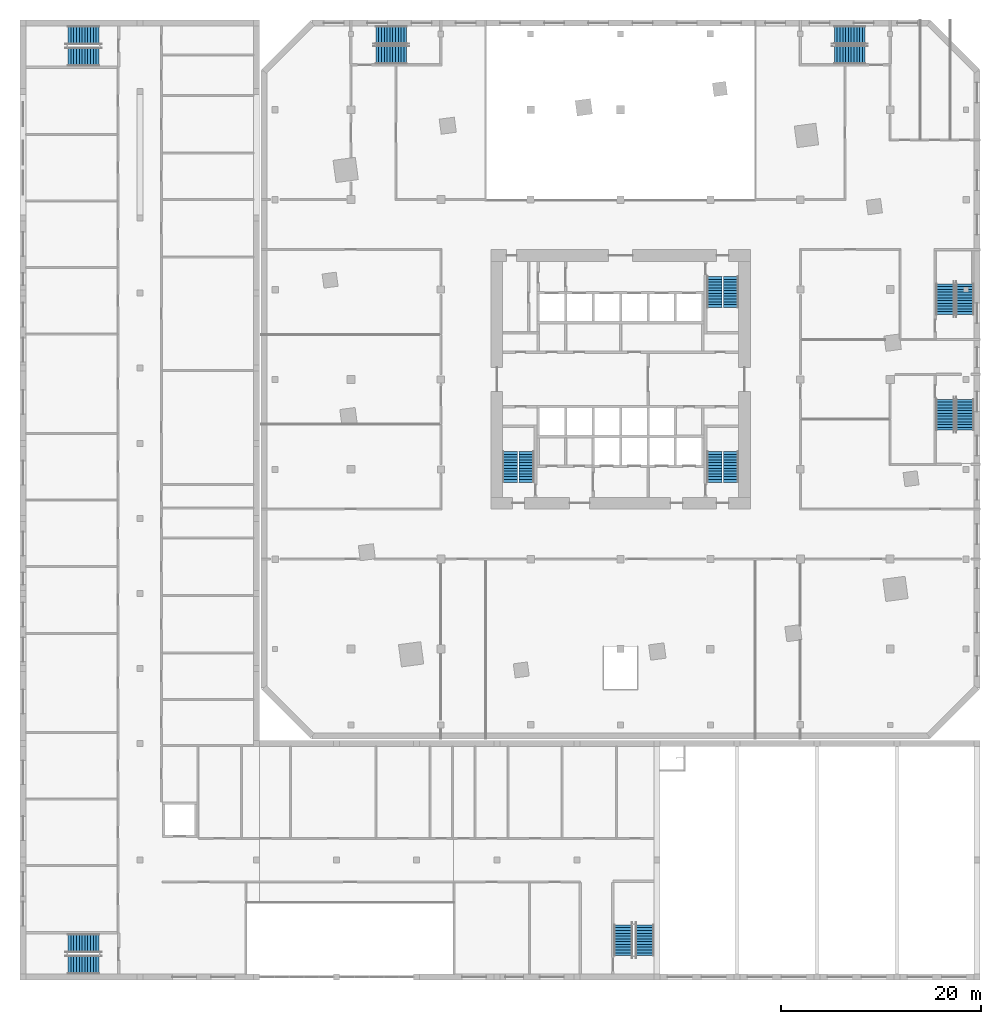
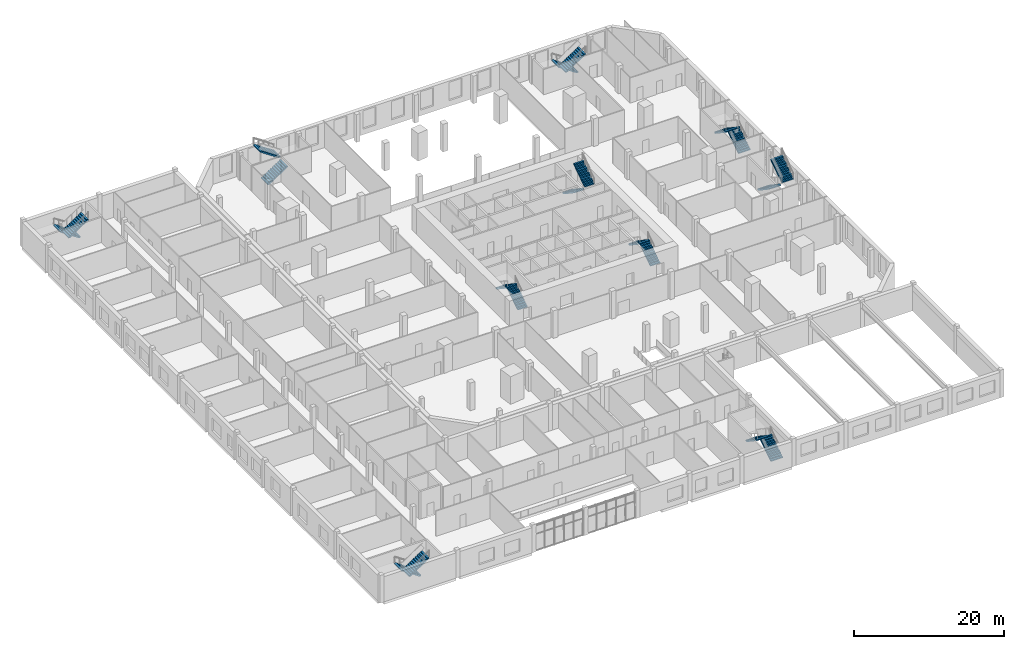
# One storey, part 19 of 27: 20 stair flights, 10 elements without a shape of their own.
"""IFC4 building model written with IfcOpenShell, lengths in metres."""

from ifc_helpers import new_model, si_unit, direction, frame, origin, place, context, subcontext, project, spatial, polyline, outline, extrude, material, type_object, element, aggregate, save


model = new_model("IFC4")

# Units and contexts
model_context = context("Model", 3, precision=1e-05, world=origin(), true_north=direction((0.0, 1.0)))
body_context = subcontext(model_context, "Body", "Model", "MODEL_VIEW")
ifc_project = project(units=[si_unit("LENGTHUNIT", "METRE"), si_unit("AREAUNIT", "SQUARE_METRE"), si_unit("VOLUMEUNIT", "CUBIC_METRE"), si_unit("PLANEANGLEUNIT", "RADIAN"), si_unit("MASSUNIT", "GRAM", prefix="KILO")], contexts=[model_context])

# Site, building, storey
site_placement = place(None, origin())
site = spatial("IfcSite", under=ifc_project, at=site_placement, CompositionType="ELEMENT")
building_placement = place(site_placement, origin())
building = spatial("IfcBuilding", under=site, at=building_placement, Name="Dilmun Exchange Tower", CompositionType="ELEMENT")
storey_placement = place(building_placement, frame((0.0, 0.0, 4.5)))
storey = spatial("IfcBuildingStorey", under=building, at=storey_placement, Name="L01", CompositionType="ELEMENT", Elevation=4.5)

# Stair, stair flights
ifc_material = material(Name="Concrete C40/50", Category="concrete")
stair_type_1 = type_object("IfcStairType", Name="Exit stair 1500 half-turn", PredefinedType="HALF_TURN_STAIR", material=ifc_material)
stair_1_placement = place(storey_placement, origin())
stair_1 = element("IfcStair", 1, at=stair_1_placement, inside=storey, type_object=stair_type_1, Name="L01 Protected exit stair ST1", PredefinedType="HALF_TURN_STAIR")
stair_flight_type_1 = type_object("IfcStairFlightType", Name="Exit stair flight 1500", PredefinedType="STRAIGHT", material=ifc_material)
stair_flight_1_placement = place(storey_placement, frame((9.39990234375, 10.300048828125, 0.0), z_axis=(0.0, 0.0, 1.0), x_axis=(0.0, -1.0, 0.0)))
stair_flight_1 = element("IfcStairFlight", 2, at=stair_flight_1_placement, type_object=stair_flight_type_1, Name="ST1 flight 1", NumberOfRisers=12, NumberOfTreads=11, PredefinedType="STRAIGHT", RiserHeight=0.1875, TreadLength=0.28, context=body_context, shape_type="SweptSolid", body=[
    extrude(outline(polyline([(0.0, 0.0), (0.0, 0.1875), (0.280029296875, 0.1875), (0.280029296875, 0.375), (0.56005859375, 0.375), (0.56005859375, 0.5625), (0.840087890625, 0.5625), (0.840087890625, 0.75), (1.1201171875, 0.75), (1.1201171875, 0.9375), (1.39990234375, 0.9375), (1.39990234375, 1.125), (1.679931640625, 1.125), (1.679931640625, 1.3125), (1.9599609375, 1.3125), (1.9599609375, 1.5), (2.239990234375, 1.5), (2.239990234375, 1.6875), (2.52001953125, 1.6875), (2.52001953125, 1.875), (2.800048828125, 1.875), (2.800048828125, 2.0625), (3.080078125, 2.0625), (3.080078125, 2.25), (3.080078125, 1.882080078125), (0.26953125, 0.0), (0.0, 0.0)])), frame((0.0, 0.75, 0.0), z_axis=(0.0, -1.0, 0.0), x_axis=(1.0, 0.0, 0.0)), (0.0, 0.0, 1.0), 1.5),
])
stair_flight_2_placement = place(storey_placement, frame((11.050048828125, 7.219970703125, 2.25), z_axis=(0.0, 0.0, 1.0), x_axis=(0.0, 1.0, 0.0)))
stair_flight_2 = element("IfcStairFlight", 3, at=stair_flight_2_placement, type_object=stair_flight_type_1, Name="ST1 flight 2", NumberOfRisers=12, NumberOfTreads=11, PredefinedType="STRAIGHT", RiserHeight=0.1875, TreadLength=0.28, context=body_context, shape_type="SweptSolid", body=[
    extrude(outline(polyline([(0.0, 0.0), (0.0, 0.1875), (0.280029296875, 0.1875), (0.280029296875, 0.375), (0.56005859375, 0.375), (0.56005859375, 0.5625), (0.840087890625, 0.5625), (0.840087890625, 0.75), (1.1201171875, 0.75), (1.1201171875, 0.9375), (1.39990234375, 0.9375), (1.39990234375, 1.125), (1.679931640625, 1.125), (1.679931640625, 1.3125), (1.9599609375, 1.3125), (1.9599609375, 1.5), (2.239990234375, 1.5), (2.239990234375, 1.6875), (2.52001953125, 1.6875), (2.52001953125, 1.875), (2.800048828125, 1.875), (2.800048828125, 2.0625), (3.080078125, 2.0625), (3.080078125, 2.25), (3.080078125, 1.882080078125), (0.26953125, 0.0), (0.0, 0.0)])), frame((0.0, 0.75, 0.0), z_axis=(0.0, -1.0, 0.0), x_axis=(1.0, 0.0, 0.0)), (0.0, 0.0, 1.0), 1.5),
])
aggregate(stair_1, [stair_flight_1, stair_flight_2])

stair_2_placement = place(storey_placement, origin())
stair_2 = element("IfcStair", 4, at=stair_2_placement, inside=storey, type_object=stair_type_1, Name="L01 Protected exit stair ST2", PredefinedType="HALF_TURN_STAIR")
stair_flight_3_placement = place(storey_placement, frame((-9.39990234375, -10.300048828125, 0.0), z_axis=(0.0, 0.0, 1.0), x_axis=(0.0, 1.0, 0.0)))
stair_flight_3 = element("IfcStairFlight", 5, at=stair_flight_3_placement, type_object=stair_flight_type_1, Name="ST2 flight 1", NumberOfRisers=12, NumberOfTreads=11, PredefinedType="STRAIGHT", RiserHeight=0.1875, TreadLength=0.28, context=body_context, shape_type="SweptSolid", body=[
    extrude(outline(polyline([(0.0, 0.0), (0.0, 0.1875), (0.280029296875, 0.1875), (0.280029296875, 0.375), (0.56005859375, 0.375), (0.56005859375, 0.5625), (0.840087890625, 0.5625), (0.840087890625, 0.75), (1.1201171875, 0.75), (1.1201171875, 0.9375), (1.39990234375, 0.9375), (1.39990234375, 1.125), (1.679931640625, 1.125), (1.679931640625, 1.3125), (1.9599609375, 1.3125), (1.9599609375, 1.5), (2.239990234375, 1.5), (2.239990234375, 1.6875), (2.52001953125, 1.6875), (2.52001953125, 1.875), (2.800048828125, 1.875), (2.800048828125, 2.0625), (3.080078125, 2.0625), (3.080078125, 2.25), (3.080078125, 1.882080078125), (0.26953125, 0.0), (0.0, 0.0)])), frame((0.0, 0.75, 0.0), z_axis=(0.0, -1.0, 0.0), x_axis=(1.0, 0.0, 0.0)), (0.0, 0.0, 1.0), 1.5),
])
stair_flight_4_placement = place(storey_placement, frame((-11.050048828125, -7.219970703125, 2.25), z_axis=(0.0, 0.0, 1.0), x_axis=(0.0, -1.0, 0.0)))
stair_flight_4 = element("IfcStairFlight", 6, at=stair_flight_4_placement, type_object=stair_flight_type_1, Name="ST2 flight 2", NumberOfRisers=12, NumberOfTreads=11, PredefinedType="STRAIGHT", RiserHeight=0.1875, TreadLength=0.28, context=body_context, shape_type="SweptSolid", body=[
    extrude(outline(polyline([(0.0, 0.0), (0.0, 0.1875), (0.280029296875, 0.1875), (0.280029296875, 0.375), (0.56005859375, 0.375), (0.56005859375, 0.5625), (0.840087890625, 0.5625), (0.840087890625, 0.75), (1.1201171875, 0.75), (1.1201171875, 0.9375), (1.39990234375, 0.9375), (1.39990234375, 1.125), (1.679931640625, 1.125), (1.679931640625, 1.3125), (1.9599609375, 1.3125), (1.9599609375, 1.5), (2.239990234375, 1.5), (2.239990234375, 1.6875), (2.52001953125, 1.6875), (2.52001953125, 1.875), (2.800048828125, 1.875), (2.800048828125, 2.0625), (3.080078125, 2.0625), (3.080078125, 2.25), (3.080078125, 1.882080078125), (0.26953125, 0.0), (0.0, 0.0)])), frame((0.0, 0.75, 0.0), z_axis=(0.0, -1.0, 0.0), x_axis=(1.0, 0.0, 0.0)), (0.0, 0.0, 1.0), 1.5),
])
aggregate(stair_2, [stair_flight_3, stair_flight_4])

stair_3_placement = place(storey_placement, origin())
stair_3 = element("IfcStair", 7, at=stair_3_placement, inside=storey, type_object=stair_type_1, Name="L01 Protected exit stair ST3", PredefinedType="HALF_TURN_STAIR")
stair_flight_5_placement = place(storey_placement, frame((11.050048828125, -10.300048828125, 0.0), z_axis=(0.0, 0.0, 1.0), x_axis=(0.0, 1.0, 0.0)))
stair_flight_5 = element("IfcStairFlight", 8, at=stair_flight_5_placement, type_object=stair_flight_type_1, Name="ST3 flight 1", NumberOfRisers=12, NumberOfTreads=11, PredefinedType="STRAIGHT", RiserHeight=0.1875, TreadLength=0.28, context=body_context, shape_type="SweptSolid", body=[
    extrude(outline(polyline([(0.0, 0.0), (0.0, 0.1875), (0.280029296875, 0.1875), (0.280029296875, 0.375), (0.56005859375, 0.375), (0.56005859375, 0.5625), (0.840087890625, 0.5625), (0.840087890625, 0.75), (1.1201171875, 0.75), (1.1201171875, 0.9375), (1.39990234375, 0.9375), (1.39990234375, 1.125), (1.679931640625, 1.125), (1.679931640625, 1.3125), (1.9599609375, 1.3125), (1.9599609375, 1.5), (2.239990234375, 1.5), (2.239990234375, 1.6875), (2.52001953125, 1.6875), (2.52001953125, 1.875), (2.800048828125, 1.875), (2.800048828125, 2.0625), (3.080078125, 2.0625), (3.080078125, 2.25), (3.080078125, 1.882080078125), (0.26953125, 0.0), (0.0, 0.0)])), frame((0.0, 0.75, 0.0), z_axis=(0.0, -1.0, 0.0), x_axis=(1.0, 0.0, 0.0)), (0.0, 0.0, 1.0), 1.5),
])
stair_flight_6_placement = place(storey_placement, frame((9.39990234375, -7.219970703125, 2.25), z_axis=(0.0, 0.0, 1.0), x_axis=(0.0, -1.0, 0.0)))
stair_flight_6 = element("IfcStairFlight", 9, at=stair_flight_6_placement, type_object=stair_flight_type_1, Name="ST3 flight 2", NumberOfRisers=12, NumberOfTreads=11, PredefinedType="STRAIGHT", RiserHeight=0.1875, TreadLength=0.28, context=body_context, shape_type="SweptSolid", body=[
    extrude(outline(polyline([(0.0, 0.0), (0.0, 0.1875), (0.280029296875, 0.1875), (0.280029296875, 0.375), (0.56005859375, 0.375), (0.56005859375, 0.5625), (0.840087890625, 0.5625), (0.840087890625, 0.75), (1.1201171875, 0.75), (1.1201171875, 0.9375), (1.39990234375, 0.9375), (1.39990234375, 1.125), (1.679931640625, 1.125), (1.679931640625, 1.3125), (1.9599609375, 1.3125), (1.9599609375, 1.5), (2.239990234375, 1.5), (2.239990234375, 1.6875), (2.52001953125, 1.6875), (2.52001953125, 1.875), (2.800048828125, 1.875), (2.800048828125, 2.0625), (3.080078125, 2.0625), (3.080078125, 2.25), (3.080078125, 1.882080078125), (0.26953125, 0.0), (0.0, 0.0)])), frame((0.0, 0.75, 0.0), z_axis=(0.0, -1.0, 0.0), x_axis=(1.0, 0.0, 0.0)), (0.0, 0.0, 1.0), 1.5),
])
aggregate(stair_3, [stair_flight_5, stair_flight_6])

stair_type_2 = type_object("IfcStairType", Name="Podium exit stair 1500", PredefinedType="HALF_TURN_STAIR", material=ifc_material)
stair_4_placement = place(storey_placement, origin())
stair_4 = element("IfcStair", 10, at=stair_4_placement, inside=storey, type_object=stair_type_2, Name="L01 Podium exit stair PS1", PredefinedType="HALF_TURN_STAIR")
stair_flight_type_2 = type_object("IfcStairFlightType", Name="Podium stair flight 1500", PredefinedType="STRAIGHT", material=ifc_material)
stair_flight_7_placement = place(storey_placement, frame((-24.5, 32.511962890625, 0.0), z_axis=(0.0, 0.0, 1.0), x_axis=(1.0, 0.0, 0.0)))
stair_flight_7 = element("IfcStairFlight", 11, at=stair_flight_7_placement, type_object=stair_flight_type_2, Name="PS1 flight 1", NumberOfRisers=12, NumberOfTreads=11, PredefinedType="STRAIGHT", RiserHeight=0.1875, TreadLength=0.28, context=body_context, shape_type="SweptSolid", body=[
    extrude(outline(polyline([(0.0, 0.0), (0.0, 0.1875), (0.280029296875, 0.1875), (0.280029296875, 0.375), (0.56005859375, 0.375), (0.56005859375, 0.5625), (0.840087890625, 0.5625), (0.840087890625, 0.75), (1.1201171875, 0.75), (1.1201171875, 0.9375), (1.39990234375, 0.9375), (1.39990234375, 1.125), (1.679931640625, 1.125), (1.679931640625, 1.3125), (1.9599609375, 1.3125), (1.9599609375, 1.5), (2.239990234375, 1.5), (2.239990234375, 1.6875), (2.52001953125, 1.6875), (2.52001953125, 1.875), (2.800048828125, 1.875), (2.800048828125, 2.0625), (3.080078125, 2.0625), (3.080078125, 2.25), (3.080078125, 1.882080078125), (0.26953125, 0.0), (0.0, 0.0)])), frame((0.0, 0.912109375, 0.0), z_axis=(0.0, -1.0, 0.0), x_axis=(1.0, 0.0, 0.0)), (0.0, 0.0, 1.0), 1.823974609375),
])
stair_flight_8_placement = place(storey_placement, frame((-21.419921875, 34.486083984375, 2.25), z_axis=(0.0, 0.0, 1.0), x_axis=(-1.0, 0.0, 0.0)))
stair_flight_8 = element("IfcStairFlight", 12, at=stair_flight_8_placement, type_object=stair_flight_type_2, Name="PS1 flight 2", NumberOfRisers=12, NumberOfTreads=11, PredefinedType="STRAIGHT", RiserHeight=0.1875, TreadLength=0.28, context=body_context, shape_type="SweptSolid", body=[
    extrude(outline(polyline([(0.0, 0.0), (0.0, 0.1875), (0.280029296875, 0.1875), (0.280029296875, 0.375), (0.56005859375, 0.375), (0.56005859375, 0.5625), (0.840087890625, 0.5625), (0.840087890625, 0.75), (1.1201171875, 0.75), (1.1201171875, 0.9375), (1.39990234375, 0.9375), (1.39990234375, 1.125), (1.679931640625, 1.125), (1.679931640625, 1.3125), (1.9599609375, 1.3125), (1.9599609375, 1.5), (2.239990234375, 1.5), (2.239990234375, 1.6875), (2.52001953125, 1.6875), (2.52001953125, 1.875), (2.800048828125, 1.875), (2.800048828125, 2.0625), (3.080078125, 2.0625), (3.080078125, 2.25), (3.080078125, 1.882080078125), (0.26953125, 0.0), (0.0, 0.0)])), frame((0.0, 0.912109375, 0.0), z_axis=(0.0, -1.0, 0.0), x_axis=(1.0, 0.0, 0.0)), (0.0, 0.0, 1.0), 1.823974609375),
])
aggregate(stair_4, [stair_flight_7, stair_flight_8])

stair_5_placement = place(storey_placement, origin())
stair_5 = element("IfcStair", 13, at=stair_5_placement, inside=storey, type_object=stair_type_2, Name="L01 Podium exit stair PS2", PredefinedType="HALF_TURN_STAIR")
stair_flight_9_placement = place(storey_placement, frame((24.5, 34.486083984375, 0.0), z_axis=(0.0, 0.0, 1.0), x_axis=(-1.0, 0.0, 0.0)))
stair_flight_9 = element("IfcStairFlight", 14, at=stair_flight_9_placement, type_object=stair_flight_type_2, Name="PS2 flight 1", NumberOfRisers=12, NumberOfTreads=11, PredefinedType="STRAIGHT", RiserHeight=0.1875, TreadLength=0.28, context=body_context, shape_type="SweptSolid", body=[
    extrude(outline(polyline([(0.0, 0.0), (0.0, 0.1875), (0.280029296875, 0.1875), (0.280029296875, 0.375), (0.56005859375, 0.375), (0.56005859375, 0.5625), (0.840087890625, 0.5625), (0.840087890625, 0.75), (1.1201171875, 0.75), (1.1201171875, 0.9375), (1.39990234375, 0.9375), (1.39990234375, 1.125), (1.679931640625, 1.125), (1.679931640625, 1.3125), (1.9599609375, 1.3125), (1.9599609375, 1.5), (2.239990234375, 1.5), (2.239990234375, 1.6875), (2.52001953125, 1.6875), (2.52001953125, 1.875), (2.800048828125, 1.875), (2.800048828125, 2.0625), (3.080078125, 2.0625), (3.080078125, 2.25), (3.080078125, 1.882080078125), (0.26953125, 0.0), (0.0, 0.0)])), frame((0.0, 0.912109375, 0.0), z_axis=(0.0, -1.0, 0.0), x_axis=(1.0, 0.0, 0.0)), (0.0, 0.0, 1.0), 1.823974609375),
])
stair_flight_10_placement = place(storey_placement, frame((21.419921875, 32.511962890625, 2.25), z_axis=(0.0, 0.0, 1.0), x_axis=(1.0, 0.0, 0.0)))
stair_flight_10 = element("IfcStairFlight", 15, at=stair_flight_10_placement, type_object=stair_flight_type_2, Name="PS2 flight 2", NumberOfRisers=12, NumberOfTreads=11, PredefinedType="STRAIGHT", RiserHeight=0.1875, TreadLength=0.28, context=body_context, shape_type="SweptSolid", body=[
    extrude(outline(polyline([(0.0, 0.0), (0.0, 0.1875), (0.280029296875, 0.1875), (0.280029296875, 0.375), (0.56005859375, 0.375), (0.56005859375, 0.5625), (0.840087890625, 0.5625), (0.840087890625, 0.75), (1.1201171875, 0.75), (1.1201171875, 0.9375), (1.39990234375, 0.9375), (1.39990234375, 1.125), (1.679931640625, 1.125), (1.679931640625, 1.3125), (1.9599609375, 1.3125), (1.9599609375, 1.5), (2.239990234375, 1.5), (2.239990234375, 1.6875), (2.52001953125, 1.6875), (2.52001953125, 1.875), (2.800048828125, 1.875), (2.800048828125, 2.0625), (3.080078125, 2.0625), (3.080078125, 2.25), (3.080078125, 1.882080078125), (0.26953125, 0.0), (0.0, 0.0)])), frame((0.0, 0.912109375, 0.0), z_axis=(0.0, -1.0, 0.0), x_axis=(1.0, 0.0, 0.0)), (0.0, 0.0, 1.0), 1.823974609375),
])
aggregate(stair_5, [stair_flight_9, stair_flight_10])

stair_6_placement = place(storey_placement, origin())
stair_6 = element("IfcStair", 16, at=stair_6_placement, inside=storey, type_object=stair_type_2, Name="L01 Podium exit stair PS3", PredefinedType="HALF_TURN_STAIR")
stair_flight_11_placement = place(storey_placement, frame((32.511962890625, -2.0, 0.0), z_axis=(0.0, 0.0, 1.0), x_axis=(0.0, -1.0, 0.0)))
stair_flight_11 = element("IfcStairFlight", 17, at=stair_flight_11_placement, type_object=stair_flight_type_2, Name="PS3 flight 1", NumberOfRisers=12, NumberOfTreads=11, PredefinedType="STRAIGHT", RiserHeight=0.1875, TreadLength=0.28, context=body_context, shape_type="SweptSolid", body=[
    extrude(outline(polyline([(0.0, 0.0), (0.0, 0.1875), (0.280029296875, 0.1875), (0.280029296875, 0.375), (0.56005859375, 0.375), (0.56005859375, 0.5625), (0.840087890625, 0.5625), (0.840087890625, 0.75), (1.1201171875, 0.75), (1.1201171875, 0.9375), (1.39990234375, 0.9375), (1.39990234375, 1.125), (1.679931640625, 1.125), (1.679931640625, 1.3125), (1.9599609375, 1.3125), (1.9599609375, 1.5), (2.239990234375, 1.5), (2.239990234375, 1.6875), (2.52001953125, 1.6875), (2.52001953125, 1.875), (2.800048828125, 1.875), (2.800048828125, 2.0625), (3.080078125, 2.0625), (3.080078125, 2.25), (3.080078125, 1.882080078125), (0.26953125, 0.0), (0.0, 0.0)])), frame((0.0, 0.912109375, 0.0), z_axis=(0.0, -1.0, 0.0), x_axis=(1.0, 0.0, 0.0)), (0.0, 0.0, 1.0), 1.823974609375),
])
stair_flight_12_placement = place(storey_placement, frame((34.486083984375, -5.080078125, 2.25), z_axis=(0.0, 0.0, 1.0), x_axis=(0.0, 1.0, 0.0)))
stair_flight_12 = element("IfcStairFlight", 18, at=stair_flight_12_placement, type_object=stair_flight_type_2, Name="PS3 flight 2", NumberOfRisers=12, NumberOfTreads=11, PredefinedType="STRAIGHT", RiserHeight=0.1875, TreadLength=0.28, context=body_context, shape_type="SweptSolid", body=[
    extrude(outline(polyline([(0.0, 0.0), (0.0, 0.1875), (0.280029296875, 0.1875), (0.280029296875, 0.375), (0.56005859375, 0.375), (0.56005859375, 0.5625), (0.840087890625, 0.5625), (0.840087890625, 0.75), (1.1201171875, 0.75), (1.1201171875, 0.9375), (1.39990234375, 0.9375), (1.39990234375, 1.125), (1.679931640625, 1.125), (1.679931640625, 1.3125), (1.9599609375, 1.3125), (1.9599609375, 1.5), (2.239990234375, 1.5), (2.239990234375, 1.6875), (2.52001953125, 1.6875), (2.52001953125, 1.875), (2.800048828125, 1.875), (2.800048828125, 2.0625), (3.080078125, 2.0625), (3.080078125, 2.25), (3.080078125, 1.882080078125), (0.26953125, 0.0), (0.0, 0.0)])), frame((0.0, 0.912109375, 0.0), z_axis=(0.0, -1.0, 0.0), x_axis=(1.0, 0.0, 0.0)), (0.0, 0.0, 1.0), 1.823974609375),
])
aggregate(stair_6, [stair_flight_11, stair_flight_12])

stair_7_placement = place(storey_placement, origin())
stair_7 = element("IfcStair", 19, at=stair_7_placement, inside=storey, type_object=stair_type_2, Name="L01 Podium exit stair PS4", PredefinedType="HALF_TURN_STAIR")
stair_flight_13_placement = place(storey_placement, frame((34.486083984375, 6.5, 0.0), z_axis=(0.0, 0.0, 1.0), x_axis=(0.0, 1.0, 0.0)))
stair_flight_13 = element("IfcStairFlight", 20, at=stair_flight_13_placement, type_object=stair_flight_type_2, Name="PS4 flight 1", NumberOfRisers=12, NumberOfTreads=11, PredefinedType="STRAIGHT", RiserHeight=0.1875, TreadLength=0.28, context=body_context, shape_type="SweptSolid", body=[
    extrude(outline(polyline([(0.0, 0.0), (0.0, 0.1875), (0.280029296875, 0.1875), (0.280029296875, 0.375), (0.56005859375, 0.375), (0.56005859375, 0.5625), (0.840087890625, 0.5625), (0.840087890625, 0.75), (1.1201171875, 0.75), (1.1201171875, 0.9375), (1.39990234375, 0.9375), (1.39990234375, 1.125), (1.679931640625, 1.125), (1.679931640625, 1.3125), (1.9599609375, 1.3125), (1.9599609375, 1.5), (2.239990234375, 1.5), (2.239990234375, 1.6875), (2.52001953125, 1.6875), (2.52001953125, 1.875), (2.800048828125, 1.875), (2.800048828125, 2.0625), (3.080078125, 2.0625), (3.080078125, 2.25), (3.080078125, 1.882080078125), (0.26953125, 0.0), (0.0, 0.0)])), frame((0.0, 0.912109375, 0.0), z_axis=(0.0, -1.0, 0.0), x_axis=(1.0, 0.0, 0.0)), (0.0, 0.0, 1.0), 1.823974609375),
])
stair_flight_14_placement = place(storey_placement, frame((32.511962890625, 9.580078125, 2.25), z_axis=(0.0, 0.0, 1.0), x_axis=(0.0, -1.0, 0.0)))
stair_flight_14 = element("IfcStairFlight", 21, at=stair_flight_14_placement, type_object=stair_flight_type_2, Name="PS4 flight 2", NumberOfRisers=12, NumberOfTreads=11, PredefinedType="STRAIGHT", RiserHeight=0.1875, TreadLength=0.28, context=body_context, shape_type="SweptSolid", body=[
    extrude(outline(polyline([(0.0, 0.0), (0.0, 0.1875), (0.280029296875, 0.1875), (0.280029296875, 0.375), (0.56005859375, 0.375), (0.56005859375, 0.5625), (0.840087890625, 0.5625), (0.840087890625, 0.75), (1.1201171875, 0.75), (1.1201171875, 0.9375), (1.39990234375, 0.9375), (1.39990234375, 1.125), (1.679931640625, 1.125), (1.679931640625, 1.3125), (1.9599609375, 1.3125), (1.9599609375, 1.5), (2.239990234375, 1.5), (2.239990234375, 1.6875), (2.52001953125, 1.6875), (2.52001953125, 1.875), (2.800048828125, 1.875), (2.800048828125, 2.0625), (3.080078125, 2.0625), (3.080078125, 2.25), (3.080078125, 1.882080078125), (0.26953125, 0.0), (0.0, 0.0)])), frame((0.0, 0.912109375, 0.0), z_axis=(0.0, -1.0, 0.0), x_axis=(1.0, 0.0, 0.0)), (0.0, 0.0, 1.0), 1.823974609375),
])
aggregate(stair_7, [stair_flight_13, stair_flight_14])

stair_type_3 = type_object("IfcStairType", Name="School exit stair 1850 wide", PredefinedType="HALF_TURN_STAIR", material=ifc_material)
stair_8_placement = place(storey_placement, origin())
stair_8 = element("IfcStair", 22, at=stair_8_placement, inside=storey, type_object=stair_type_3, Name="L01 Stair S1", PredefinedType="HALF_TURN_STAIR")
stair_flight_type_3 = type_object("IfcStairFlightType", Name="School stair flight 1850 wide", PredefinedType="STRAIGHT", material=ifc_material)
stair_flight_15_placement = place(storey_placement, frame((-52.25, 34.47509765625, 0.0), z_axis=(0.0, 0.0, 1.0), x_axis=(-1.0, 0.0, 0.0)))
stair_flight_15 = element("IfcStairFlight", 23, at=stair_flight_15_placement, type_object=stair_flight_type_3, Name="SCH-S1 flight 1", NumberOfRisers=12, NumberOfTreads=11, PredefinedType="STRAIGHT", RiserHeight=0.1875, TreadLength=0.28, context=body_context, shape_type="SweptSolid", body=[
    extrude(outline(polyline([(0.0, 0.0), (0.0, 0.1875), (0.280029296875, 0.1875), (0.280029296875, 0.375), (0.56005859375, 0.375), (0.56005859375, 0.5625), (0.840087890625, 0.5625), (0.840087890625, 0.75), (1.1201171875, 0.75), (1.1201171875, 0.9375), (1.39990234375, 0.9375), (1.39990234375, 1.125), (1.679931640625, 1.125), (1.679931640625, 1.3125), (1.9599609375, 1.3125), (1.9599609375, 1.5), (2.239990234375, 1.5), (2.239990234375, 1.6875), (2.52001953125, 1.6875), (2.52001953125, 1.875), (2.800048828125, 1.875), (2.800048828125, 2.0625), (3.080078125, 2.0625), (3.080078125, 2.25), (3.080078125, 1.882080078125), (0.26953125, 0.0), (0.0, 0.0)])), frame((0.0, 0.925048828125, 0.0), z_axis=(0.0, -1.0, 0.0), x_axis=(1.0, 0.0, 0.0)), (0.0, 0.0, 1.0), 1.85009765625),
])
stair_flight_16_placement = place(storey_placement, frame((-55.330078125, 32.324951171875, 2.25), z_axis=(0.0, 0.0, 1.0), x_axis=(1.0, 0.0, 0.0)))
stair_flight_16 = element("IfcStairFlight", 24, at=stair_flight_16_placement, type_object=stair_flight_type_3, Name="SCH-S1 flight 2", NumberOfRisers=12, NumberOfTreads=11, PredefinedType="STRAIGHT", RiserHeight=0.1875, TreadLength=0.28, context=body_context, shape_type="SweptSolid", body=[
    extrude(outline(polyline([(0.0, 0.0), (0.0, 0.1875), (0.280029296875, 0.1875), (0.280029296875, 0.375), (0.56005859375, 0.375), (0.56005859375, 0.5625), (0.840087890625, 0.5625), (0.840087890625, 0.75), (1.1201171875, 0.75), (1.1201171875, 0.9375), (1.39990234375, 0.9375), (1.39990234375, 1.125), (1.679931640625, 1.125), (1.679931640625, 1.3125), (1.9599609375, 1.3125), (1.9599609375, 1.5), (2.239990234375, 1.5), (2.239990234375, 1.6875), (2.52001953125, 1.6875), (2.52001953125, 1.875), (2.800048828125, 1.875), (2.800048828125, 2.0625), (3.080078125, 2.0625), (3.080078125, 2.25), (3.080078125, 1.882080078125), (0.26953125, 0.0), (0.0, 0.0)])), frame((0.0, 0.925048828125, 0.0), z_axis=(0.0, -1.0, 0.0), x_axis=(1.0, 0.0, 0.0)), (0.0, 0.0, 1.0), 1.85009765625),
])
aggregate(stair_8, [stair_flight_15, stair_flight_16])

stair_9_placement = place(storey_placement, origin())
stair_9 = element("IfcStair", 25, at=stair_9_placement, inside=storey, type_object=stair_type_3, Name="L01 Stair S2", PredefinedType="HALF_TURN_STAIR")
stair_flight_17_placement = place(storey_placement, frame((-52.25, -56.47509765625, 0.0), z_axis=(0.0, 0.0, 1.0), x_axis=(-1.0, 0.0, 0.0)))
stair_flight_17 = element("IfcStairFlight", 26, at=stair_flight_17_placement, type_object=stair_flight_type_3, Name="SCH-S2 flight 1", NumberOfRisers=12, NumberOfTreads=11, PredefinedType="STRAIGHT", RiserHeight=0.1875, TreadLength=0.28, context=body_context, shape_type="SweptSolid", body=[
    extrude(outline(polyline([(0.0, 0.0), (0.0, 0.1875), (0.280029296875, 0.1875), (0.280029296875, 0.375), (0.56005859375, 0.375), (0.56005859375, 0.5625), (0.840087890625, 0.5625), (0.840087890625, 0.75), (1.1201171875, 0.75), (1.1201171875, 0.9375), (1.39990234375, 0.9375), (1.39990234375, 1.125), (1.679931640625, 1.125), (1.679931640625, 1.3125), (1.9599609375, 1.3125), (1.9599609375, 1.5), (2.239990234375, 1.5), (2.239990234375, 1.6875), (2.52001953125, 1.6875), (2.52001953125, 1.875), (2.800048828125, 1.875), (2.800048828125, 2.0625), (3.080078125, 2.0625), (3.080078125, 2.25), (3.080078125, 1.882080078125), (0.26953125, 0.0), (0.0, 0.0)])), frame((0.0, 0.925048828125, 0.0), z_axis=(0.0, -1.0, 0.0), x_axis=(1.0, 0.0, 0.0)), (0.0, 0.0, 1.0), 1.85009765625),
])
stair_flight_18_placement = place(storey_placement, frame((-55.330078125, -58.625, 2.25), z_axis=(0.0, 0.0, 1.0), x_axis=(1.0, 0.0, 0.0)))
stair_flight_18 = element("IfcStairFlight", 27, at=stair_flight_18_placement, type_object=stair_flight_type_3, Name="SCH-S2 flight 2", NumberOfRisers=12, NumberOfTreads=11, PredefinedType="STRAIGHT", RiserHeight=0.1875, TreadLength=0.28, context=body_context, shape_type="SweptSolid", body=[
    extrude(outline(polyline([(0.0, 0.0), (0.0, 0.1875), (0.280029296875, 0.1875), (0.280029296875, 0.375), (0.56005859375, 0.375), (0.56005859375, 0.5625), (0.840087890625, 0.5625), (0.840087890625, 0.75), (1.1201171875, 0.75), (1.1201171875, 0.9375), (1.39990234375, 0.9375), (1.39990234375, 1.125), (1.679931640625, 1.125), (1.679931640625, 1.3125), (1.9599609375, 1.3125), (1.9599609375, 1.5), (2.239990234375, 1.5), (2.239990234375, 1.6875), (2.52001953125, 1.6875), (2.52001953125, 1.875), (2.800048828125, 1.875), (2.800048828125, 2.0625), (3.080078125, 2.0625), (3.080078125, 2.25), (3.080078125, 1.882080078125), (0.26953125, 0.0), (0.0, 0.0)])), frame((0.0, 0.925048828125, 0.0), z_axis=(0.0, -1.0, 0.0), x_axis=(1.0, 0.0, 0.0)), (0.0, 0.0, 1.0), 1.85009765625),
])
aggregate(stair_9, [stair_flight_17, stair_flight_18])

stair_10_placement = place(storey_placement, origin())
stair_10 = element("IfcStair", 28, at=stair_10_placement, inside=storey, type_object=stair_type_3, Name="L01 Stair S3", PredefinedType="HALF_TURN_STAIR")
stair_flight_19_placement = place(storey_placement, frame((2.4130859375, -57.7099609375, 0.0), z_axis=(0.0, 0.0, 1.0), x_axis=(0.0, 1.0, 0.0)))
stair_flight_19 = element("IfcStairFlight", 29, at=stair_flight_19_placement, type_object=stair_flight_type_3, Name="SCH-S3 flight 1", NumberOfRisers=12, NumberOfTreads=11, PredefinedType="STRAIGHT", RiserHeight=0.1875, TreadLength=0.28, context=body_context, shape_type="SweptSolid", body=[
    extrude(outline(polyline([(0.0, 0.0), (0.0, 0.1875), (0.280029296875, 0.1875), (0.280029296875, 0.375), (0.56005859375, 0.375), (0.56005859375, 0.5625), (0.840087890625, 0.5625), (0.840087890625, 0.75), (1.1201171875, 0.75), (1.1201171875, 0.9375), (1.39990234375, 0.9375), (1.39990234375, 1.125), (1.679931640625, 1.125), (1.679931640625, 1.3125), (1.9599609375, 1.3125), (1.9599609375, 1.5), (2.239990234375, 1.5), (2.239990234375, 1.6875), (2.52001953125, 1.6875), (2.52001953125, 1.875), (2.800048828125, 1.875), (2.800048828125, 2.0625), (3.080078125, 2.0625), (3.080078125, 2.25), (3.080078125, 1.882080078125), (0.26953125, 0.0), (0.0, 0.0)])), frame((0.0, 0.919921875, 0.0), z_axis=(0.0, -1.0, 0.0), x_axis=(1.0, 0.0, 0.0)), (0.0, 0.0, 1.0), 1.840087890625),
])
stair_flight_20_placement = place(storey_placement, frame((0.27294921875, -54.6298828125, 2.25), z_axis=(0.0, 0.0, 1.0), x_axis=(0.0, -1.0, 0.0)))
stair_flight_20 = element("IfcStairFlight", 30, at=stair_flight_20_placement, type_object=stair_flight_type_3, Name="SCH-S3 flight 2", NumberOfRisers=12, NumberOfTreads=11, PredefinedType="STRAIGHT", RiserHeight=0.1875, TreadLength=0.28, context=body_context, shape_type="SweptSolid", body=[
    extrude(outline(polyline([(0.0, 0.0), (0.0, 0.1875), (0.280029296875, 0.1875), (0.280029296875, 0.375), (0.56005859375, 0.375), (0.56005859375, 0.5625), (0.840087890625, 0.5625), (0.840087890625, 0.75), (1.1201171875, 0.75), (1.1201171875, 0.9375), (1.39990234375, 0.9375), (1.39990234375, 1.125), (1.679931640625, 1.125), (1.679931640625, 1.3125), (1.9599609375, 1.3125), (1.9599609375, 1.5), (2.239990234375, 1.5), (2.239990234375, 1.6875), (2.52001953125, 1.6875), (2.52001953125, 1.875), (2.800048828125, 1.875), (2.800048828125, 2.0625), (3.080078125, 2.0625), (3.080078125, 2.25), (3.080078125, 1.882080078125), (0.26953125, 0.0), (0.0, 0.0)])), frame((0.0, 0.919921875, 0.0), z_axis=(0.0, -1.0, 0.0), x_axis=(1.0, 0.0, 0.0)), (0.0, 0.0, 1.0), 1.840087890625),
])
aggregate(stair_10, [stair_flight_19, stair_flight_20])

save(model, "model.ifc")
